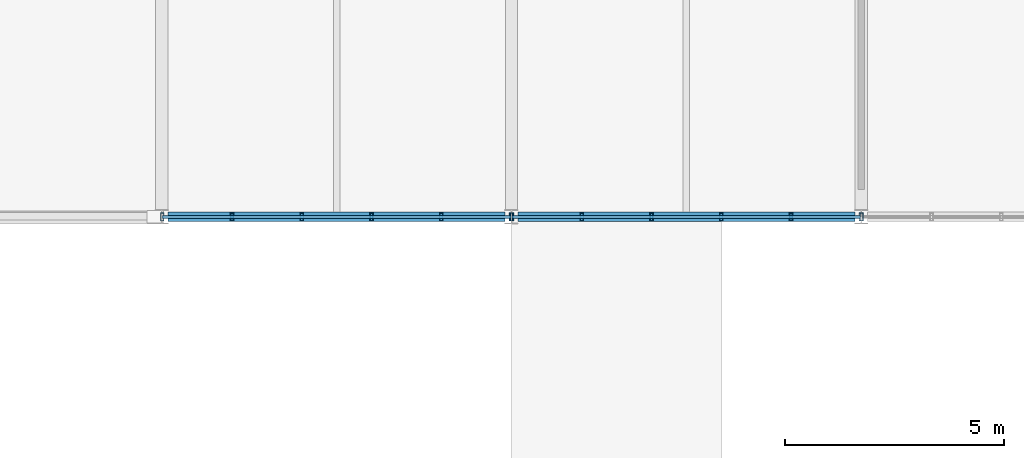
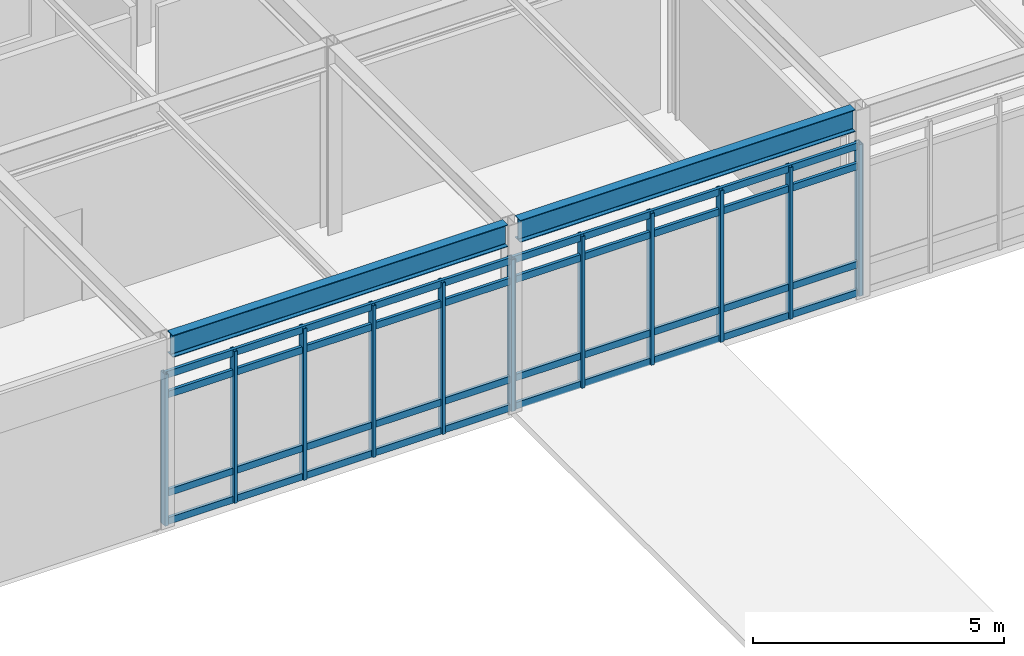
# One storey, part 33 of 100: 21 members, 2 beams, 3 elements without a shape of their own.
"""IFC4 building model written with IfcOpenShell, lengths in metres."""

from ifc_helpers import new_model, si_unit, direction, frame, origin, origin_2d, place, context, subcontext, project, spatial, hollow_rectangle, i_section, extrude, material, material_profile, profile_set, type_object, element, aggregate, save


model = new_model("IFC4")

# Units and contexts
model_context = context("Model", 3, precision=1e-05, world=origin(), true_north=direction((0.0, 1.0)))
body_context = subcontext(model_context, "Body", "Model", "MODEL_VIEW")
ifc_project = project(units=[si_unit("LENGTHUNIT", "METRE"), si_unit("AREAUNIT", "SQUARE_METRE"), si_unit("VOLUMEUNIT", "CUBIC_METRE"), si_unit("PLANEANGLEUNIT", "RADIAN"), si_unit("MASSUNIT", "GRAM", prefix="KILO")], contexts=[model_context])

# Site, building, storey
site_placement = place(None, origin())
site = spatial("IfcSite", under=ifc_project, at=site_placement, CompositionType="ELEMENT")
building_placement = place(site_placement, origin())
building = spatial("IfcBuilding", under=site, at=building_placement, Name="Zulena Civic Courthouse", CompositionType="ELEMENT")
storey_placement = place(building_placement, frame((0.0, 0.0, 20.39990234375)))
storey = spatial("IfcBuildingStorey", under=building, at=storey_placement, Name="L04", CompositionType="ELEMENT", Elevation=20.39990234375)

# Curtain wall, member
ifc_material_1 = material(Name="Double-silver low-E laminated solar-control glass", Category="glass")
curtain_wall_type = type_object("IfcCurtainWallType", Name="CW_7976x3690", PredefinedType="USERDEFINED", material=ifc_material_1)
curtain_wall_1_placement = place(storey_placement, origin())
curtain_wall_1 = element("IfcCurtainWall", 1, at=curtain_wall_1_placement, inside=storey, type_object=curtain_wall_type, Name="cw:V5:L04:5:5", ObjectType="UNITISED CURTAIN WALL", PredefinedType="USERDEFINED")
ifc_material_2 = material(Name="Bronze anodised thermally broken aluminium AA6063-T6", Category="aluminium")
ifc_material_profile_1 = material_profile(ifc_material_2, hollow_rectangle(XDim=0.074951171875, YDim=0.179931640625, WallThickness=0.0048828125, at=origin_2d()), Name="CWM180X75X5")
ifc_profile_set_1 = profile_set([ifc_material_profile_1], Name="Bronze anodised thermally broken aluminium AA6063-T6")
member_type_1 = type_object("IfcMemberType", Name="CWMullion_180x75", PredefinedType="MULLION", material=ifc_profile_set_1)
member_1_placement = place(storey_placement, frame((60.011962890625, 46.0, 0.0), z_axis=(0.0, 0.0, 1.0), x_axis=(1.0, 0.0, 0.0)))
member_1 = element("IfcMember", 2, at=member_1_placement, type_object=member_type_1, Name="cw:V5:L04:5:5:mull:5", PredefinedType="MULLION", context=body_context, shape_type="SweptSolid", body=[
    extrude(hollow_rectangle(XDim=0.074951171875, YDim=0.179931640625, WallThickness=0.0048828125, at=origin_2d()), origin(), (0.0, 0.0, 1.0), 3.690185546875),
])
aggregate(curtain_wall_1, [member_1])

# Curtain wall, members
curtain_wall_2_placement = place(storey_placement, origin())
curtain_wall_2 = element("IfcCurtainWall", 3, at=curtain_wall_2_placement, inside=storey, type_object=curtain_wall_type, Name="cw:V5:L04:5:6", ObjectType="UNITISED CURTAIN WALL", PredefinedType="USERDEFINED")
member_2_placement = place(storey_placement, frame((59.988037109375, 46.0, 0.0), z_axis=(0.0, 0.0, 1.0), x_axis=(1.0, 0.0, 0.0)))
member_2 = element("IfcMember", 4, at=member_2_placement, type_object=member_type_1, Name="cw:V5:L04:5:6:mull:0", PredefinedType="MULLION", context=body_context, shape_type="SweptSolid", body=[
    extrude(hollow_rectangle(XDim=0.074951171875, YDim=0.179931640625, WallThickness=0.0048828125, at=origin_2d()), origin(), (0.0, 0.0, 1.0), 3.690185546875),
])
member_3_placement = place(storey_placement, frame((58.392822265625, 46.0, 0.0), z_axis=(0.0, 0.0, 1.0), x_axis=(1.0, 0.0, 0.0)))
member_3 = element("IfcMember", 5, at=member_3_placement, type_object=member_type_1, Name="cw:V5:L04:5:6:mull:1", PredefinedType="MULLION", context=body_context, shape_type="SweptSolid", body=[
    extrude(hollow_rectangle(XDim=0.074951171875, YDim=0.179931640625, WallThickness=0.0048828125, at=origin_2d()), origin(), (0.0, 0.0, 1.0), 3.690185546875),
])
member_4_placement = place(storey_placement, frame((56.797607421875, 46.0, 0.0), z_axis=(0.0, 0.0, 1.0), x_axis=(1.0, 0.0, 0.0)))
member_4 = element("IfcMember", 6, at=member_4_placement, type_object=member_type_1, Name="cw:V5:L04:5:6:mull:2", PredefinedType="MULLION", context=body_context, shape_type="SweptSolid", body=[
    extrude(hollow_rectangle(XDim=0.074951171875, YDim=0.179931640625, WallThickness=0.0048828125, at=origin_2d()), origin(), (0.0, 0.0, 1.0), 3.690185546875),
])
member_5_placement = place(storey_placement, frame((55.202392578125, 46.0, 0.0), z_axis=(0.0, 0.0, 1.0), x_axis=(1.0, 0.0, 0.0)))
member_5 = element("IfcMember", 7, at=member_5_placement, type_object=member_type_1, Name="cw:V5:L04:5:6:mull:3", PredefinedType="MULLION", context=body_context, shape_type="SweptSolid", body=[
    extrude(hollow_rectangle(XDim=0.074951171875, YDim=0.179931640625, WallThickness=0.0048828125, at=origin_2d()), origin(), (0.0, 0.0, 1.0), 3.690185546875),
])
member_6_placement = place(storey_placement, frame((53.607177734375, 46.0, 0.0), z_axis=(0.0, 0.0, 1.0), x_axis=(1.0, 0.0, 0.0)))
member_6 = element("IfcMember", 8, at=member_6_placement, type_object=member_type_1, Name="cw:V5:L04:5:6:mull:4", PredefinedType="MULLION", context=body_context, shape_type="SweptSolid", body=[
    extrude(hollow_rectangle(XDim=0.074951171875, YDim=0.179931640625, WallThickness=0.0048828125, at=origin_2d()), origin(), (0.0, 0.0, 1.0), 3.690185546875),
])
member_7_placement = place(storey_placement, frame((52.011962890625, 46.0, 0.0), z_axis=(0.0, 0.0, 1.0), x_axis=(1.0, 0.0, 0.0)))
member_7 = element("IfcMember", 9, at=member_7_placement, type_object=member_type_1, Name="cw:V5:L04:5:6:mull:5", PredefinedType="MULLION", context=body_context, shape_type="SweptSolid", body=[
    extrude(hollow_rectangle(XDim=0.074951171875, YDim=0.179931640625, WallThickness=0.0048828125, at=origin_2d()), origin(), (0.0, 0.0, 1.0), 3.690185546875),
])

curtain_wall_3_placement = place(storey_placement, origin())
curtain_wall_3 = element("IfcCurtainWall", 10, at=curtain_wall_3_placement, inside=storey, type_object=curtain_wall_type, Name="cw:V5:L04:5:7", ObjectType="UNITISED CURTAIN WALL", PredefinedType="USERDEFINED")
member_8_placement = place(storey_placement, frame((51.988037109375, 46.0, 0.0), z_axis=(0.0, 0.0, 1.0), x_axis=(1.0, 0.0, 0.0)))
member_8 = element("IfcMember", 11, at=member_8_placement, type_object=member_type_1, Name="cw:V5:L04:5:7:mull:0", PredefinedType="MULLION", context=body_context, shape_type="SweptSolid", body=[
    extrude(hollow_rectangle(XDim=0.074951171875, YDim=0.179931640625, WallThickness=0.0048828125, at=origin_2d()), origin(), (0.0, 0.0, 1.0), 3.690185546875),
])
member_9_placement = place(storey_placement, frame((50.392822265625, 46.0, 0.0), z_axis=(0.0, 0.0, 1.0), x_axis=(1.0, 0.0, 0.0)))
member_9 = element("IfcMember", 12, at=member_9_placement, type_object=member_type_1, Name="cw:V5:L04:5:7:mull:1", PredefinedType="MULLION", context=body_context, shape_type="SweptSolid", body=[
    extrude(hollow_rectangle(XDim=0.074951171875, YDim=0.179931640625, WallThickness=0.0048828125, at=origin_2d()), origin(), (0.0, 0.0, 1.0), 3.690185546875),
])
member_10_placement = place(storey_placement, frame((48.797607421875, 46.0, 0.0), z_axis=(0.0, 0.0, 1.0), x_axis=(1.0, 0.0, 0.0)))
member_10 = element("IfcMember", 13, at=member_10_placement, type_object=member_type_1, Name="cw:V5:L04:5:7:mull:2", PredefinedType="MULLION", context=body_context, shape_type="SweptSolid", body=[
    extrude(hollow_rectangle(XDim=0.074951171875, YDim=0.179931640625, WallThickness=0.0048828125, at=origin_2d()), origin(), (0.0, 0.0, 1.0), 3.690185546875),
])
member_11_placement = place(storey_placement, frame((47.202392578125, 46.0, 0.0), z_axis=(0.0, 0.0, 1.0), x_axis=(1.0, 0.0, 0.0)))
member_11 = element("IfcMember", 14, at=member_11_placement, type_object=member_type_1, Name="cw:V5:L04:5:7:mull:3", PredefinedType="MULLION", context=body_context, shape_type="SweptSolid", body=[
    extrude(hollow_rectangle(XDim=0.074951171875, YDim=0.179931640625, WallThickness=0.0048828125, at=origin_2d()), origin(), (0.0, 0.0, 1.0), 3.690185546875),
])
member_12_placement = place(storey_placement, frame((45.607177734375, 46.0, 0.0), z_axis=(0.0, 0.0, 1.0), x_axis=(1.0, 0.0, 0.0)))
member_12 = element("IfcMember", 15, at=member_12_placement, type_object=member_type_1, Name="cw:V5:L04:5:7:mull:4", PredefinedType="MULLION", context=body_context, shape_type="SweptSolid", body=[
    extrude(hollow_rectangle(XDim=0.074951171875, YDim=0.179931640625, WallThickness=0.0048828125, at=origin_2d()), origin(), (0.0, 0.0, 1.0), 3.690185546875),
])
member_13_placement = place(storey_placement, frame((44.011962890625, 46.0, 0.0), z_axis=(0.0, 0.0, 1.0), x_axis=(1.0, 0.0, 0.0)))
member_13 = element("IfcMember", 16, at=member_13_placement, type_object=member_type_1, Name="cw:V5:L04:5:7:mull:5", PredefinedType="MULLION", context=body_context, shape_type="SweptSolid", body=[
    extrude(hollow_rectangle(XDim=0.074951171875, YDim=0.179931640625, WallThickness=0.0048828125, at=origin_2d()), origin(), (0.0, 0.0, 1.0), 3.690185546875),
])

# Member
ifc_material_profile_2 = material_profile(ifc_material_2, hollow_rectangle(XDim=0.070068359375, YDim=0.1650390625, WallThickness=0.00390625, at=origin_2d()), Name="CWT165X70X4")
ifc_profile_set_2 = profile_set([ifc_material_profile_2], Name="Bronze anodised thermally broken aluminium AA6063-T6")
member_type_2 = type_object("IfcMemberType", Name="CWTransom_165x70", PredefinedType="USERDEFINED", material=ifc_profile_set_2)
member_14_placement = place(storey_placement, frame((59.988037109375, 46.0, 0.06005859375), z_axis=(-1.0, 0.0, 0.0), x_axis=(0.0, -1.0, 0.0)))
member_14 = element("IfcMember", 17, at=member_14_placement, type_object=member_type_2, Name="cw:V5:L04:5:6:tran:0", ObjectType="TRANSOM", PredefinedType="USERDEFINED", context=body_context, shape_type="SweptSolid", body=[
    extrude(hollow_rectangle(XDim=0.070068359375, YDim=0.1650390625, WallThickness=0.00390625, at=origin_2d()), origin(), (0.0, 0.0, 1.0), 7.97607421875),
])

member_15_placement = place(storey_placement, frame((59.988037109375, 46.0, 0.75), z_axis=(-1.0, 0.0, 0.0), x_axis=(0.0, -1.0, 0.0)))
member_15 = element("IfcMember", 18, at=member_15_placement, type_object=member_type_2, Name="cw:V5:L04:5:6:tran:1", ObjectType="TRANSOM", PredefinedType="USERDEFINED", context=body_context, shape_type="SweptSolid", body=[
    extrude(hollow_rectangle(XDim=0.070068359375, YDim=0.1650390625, WallThickness=0.00390625, at=origin_2d()), origin(), (0.0, 0.0, 1.0), 7.97607421875),
])

member_16_placement = place(storey_placement, frame((59.988037109375, 46.0, 3.14013671875), z_axis=(-1.0, 0.0, 0.0), x_axis=(0.0, -1.0, 0.0)))
member_16 = element("IfcMember", 19, at=member_16_placement, type_object=member_type_2, Name="cw:V5:L04:5:6:tran:2", ObjectType="TRANSOM", PredefinedType="USERDEFINED", context=body_context, shape_type="SweptSolid", body=[
    extrude(hollow_rectangle(XDim=0.070068359375, YDim=0.1650390625, WallThickness=0.00390625, at=origin_2d()), origin(), (0.0, 0.0, 1.0), 7.97607421875),
])

member_17_placement = place(storey_placement, frame((59.988037109375, 46.0, 3.630126953125), z_axis=(-1.0, 0.0, 0.0), x_axis=(0.0, -1.0, 0.0)))
member_17 = element("IfcMember", 20, at=member_17_placement, type_object=member_type_2, Name="cw:V5:L04:5:6:tran:3", ObjectType="TRANSOM", PredefinedType="USERDEFINED", context=body_context, shape_type="SweptSolid", body=[
    extrude(hollow_rectangle(XDim=0.070068359375, YDim=0.1650390625, WallThickness=0.00390625, at=origin_2d()), origin(), (0.0, 0.0, 1.0), 7.97607421875),
])

aggregate(curtain_wall_2, [member_2, member_3, member_4, member_5, member_6, member_7, member_14, member_15, member_16, member_17])

member_18_placement = place(storey_placement, frame((51.988037109375, 46.0, 0.06005859375), z_axis=(-1.0, 0.0, 0.0), x_axis=(0.0, -1.0, 0.0)))
member_18 = element("IfcMember", 21, at=member_18_placement, type_object=member_type_2, Name="cw:V5:L04:5:7:tran:0", ObjectType="TRANSOM", PredefinedType="USERDEFINED", context=body_context, shape_type="SweptSolid", body=[
    extrude(hollow_rectangle(XDim=0.070068359375, YDim=0.1650390625, WallThickness=0.00390625, at=origin_2d()), origin(), (0.0, 0.0, 1.0), 7.97607421875),
])

member_19_placement = place(storey_placement, frame((51.988037109375, 46.0, 0.75), z_axis=(-1.0, 0.0, 0.0), x_axis=(0.0, -1.0, 0.0)))
member_19 = element("IfcMember", 22, at=member_19_placement, type_object=member_type_2, Name="cw:V5:L04:5:7:tran:1", ObjectType="TRANSOM", PredefinedType="USERDEFINED", context=body_context, shape_type="SweptSolid", body=[
    extrude(hollow_rectangle(XDim=0.070068359375, YDim=0.1650390625, WallThickness=0.00390625, at=origin_2d()), origin(), (0.0, 0.0, 1.0), 7.97607421875),
])

member_20_placement = place(storey_placement, frame((51.988037109375, 46.0, 3.14013671875), z_axis=(-1.0, 0.0, 0.0), x_axis=(0.0, -1.0, 0.0)))
member_20 = element("IfcMember", 23, at=member_20_placement, type_object=member_type_2, Name="cw:V5:L04:5:7:tran:2", ObjectType="TRANSOM", PredefinedType="USERDEFINED", context=body_context, shape_type="SweptSolid", body=[
    extrude(hollow_rectangle(XDim=0.070068359375, YDim=0.1650390625, WallThickness=0.00390625, at=origin_2d()), origin(), (0.0, 0.0, 1.0), 7.97607421875),
])

member_21_placement = place(storey_placement, frame((51.988037109375, 46.0, 3.630126953125), z_axis=(-1.0, 0.0, 0.0), x_axis=(0.0, -1.0, 0.0)))
member_21 = element("IfcMember", 24, at=member_21_placement, type_object=member_type_2, Name="cw:V5:L04:5:7:tran:3", ObjectType="TRANSOM", PredefinedType="USERDEFINED", context=body_context, shape_type="SweptSolid", body=[
    extrude(hollow_rectangle(XDim=0.070068359375, YDim=0.1650390625, WallThickness=0.00390625, at=origin_2d()), origin(), (0.0, 0.0, 1.0), 7.97607421875),
])

aggregate(curtain_wall_3, [member_8, member_9, member_10, member_11, member_12, member_13, member_18, member_19, member_20, member_21])

# Beams
ifc_material_3 = material(Name="Steel ASTM A992 Grade 50", Category="steel")
ifc_material_profile_3 = material_profile(ifc_material_3, i_section(OverallWidth=0.2099609375, OverallDepth=0.537109375, WebThickness=0.010986328125, FlangeThickness=0.017333984375, FilletRadius=0.0126953125, at=origin_2d()), Name="W21X68")
ifc_profile_set_3 = profile_set([ifc_material_profile_3], Name="Steel ASTM A992 Grade 50")
beam_type = type_object("IfcBeamType", Name="Spandrel_W21X68", PredefinedType="SPANDREL", material=ifc_profile_set_3)
for number, where, z_axis, x_axis, name in (
    (25, (44.14501953125, 46.0, 4.32666015625), (1.0, 0.0, 0.0), (0.0, 1.0, 0.0), "beam:X:V5:L04:46.0:44.0_52.0"),
    (26, (52.14501953125, 46.0, 4.32666015625), (1.0, 0.0, 0.0), (0.0, 1.0, 0.0), "beam:X:V5:L04:46.0:52.0_60.0"),
):
    element("IfcBeam", number, at=place(storey_placement, frame(where, z_axis=z_axis, x_axis=x_axis)), inside=storey, type_object=beam_type, Name=name, PredefinedType="SPANDREL", context=body_context, shape_type="SweptSolid", body=[
        extrude(i_section(OverallWidth=0.2099609375, OverallDepth=0.537109375, WebThickness=0.010986328125, FlangeThickness=0.017333984375, FilletRadius=0.0126953125, at=origin_2d()), origin(), (0.0, 0.0, 1.0), 7.7099609375),
    ])

save(model, "model.ifc")
